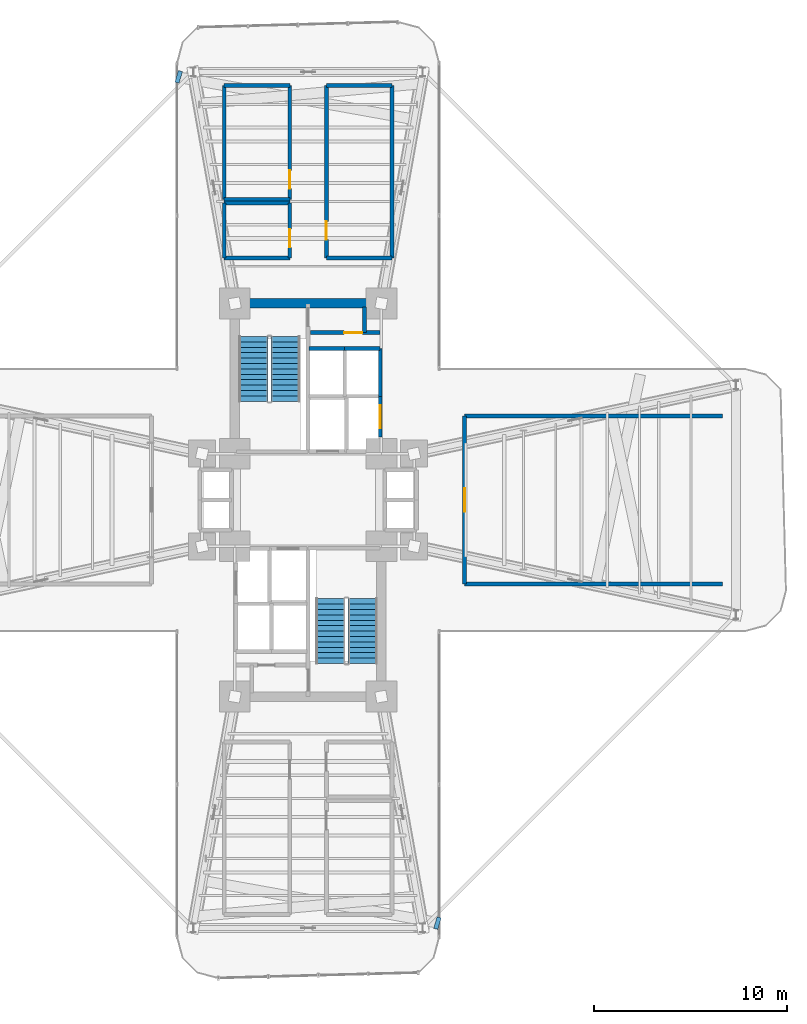
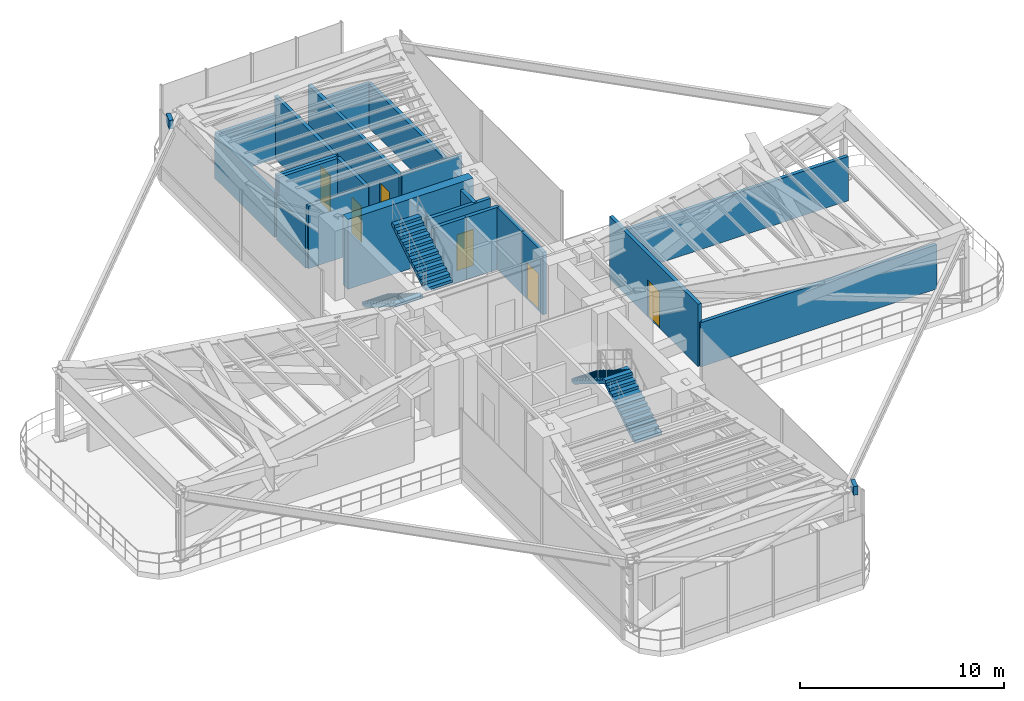
# One storey, part 15 of 18: 24 walls, 6 doors, 4 stair flights, 6 openings, 2 elements without a shape of their own.
"""IFC4 building model written with IfcOpenShell, lengths in metres."""

import ifcopenshell
import ifcopenshell.guid

model = None  # the IFC model being written
_history = None  # IfcOwnerHistory: only IFC2X3 demands one
_inside = {}  # id of a spatial element -> (the spatial element, [elements in it])
_under = {}  # id of a project, library or spatial element -> (it, [spatial elements below it])
_declared = {}  # id of a project -> (the project, [libraries it declares])
_typed = {}  # id of a type object -> (the type object, [elements of that type])
_made_of = {}  # id of a material, layer set ... -> (it, [elements and type objects made of it])


def new_model(schema):
    """Start an empty IFC model of exactly this schema.

    Asked for "IFC4X3", IfcOpenShell would pick the latest addendum, in which some entities
    have other attributes; the version numbers below select the first issue.
    IFC2X3 requires an IfcOwnerHistory on every rooted entity: one is made here for all.
    """
    global model, _history
    if schema == "IFC4X3":
        model = ifcopenshell.file(schema_version=(4, 3, 0, 0))
    else:
        model = ifcopenshell.file(schema=schema)
    _inside.clear()
    _under.clear()
    _declared.clear()
    _typed.clear()
    _made_of.clear()
    _history = None
    if model.schema == "IFC2X3":
        org = make("IfcOrganization", Name="unknown")
        user = make(
            "IfcPersonAndOrganization",
            ThePerson=make("IfcPerson", FamilyName="unknown"),
            TheOrganization=org,
        )
        app = make(
            "IfcApplication",
            ApplicationDeveloper=org,
            Version="unknown",
            ApplicationFullName="unknown",
            ApplicationIdentifier="unknown",
        )
        _history = make(
            "IfcOwnerHistory",
            OwningUser=user,
            OwningApplication=app,
            ChangeAction="ADDED",
            CreationDate=0,
        )
    return model


def make(cls, **values):
    """One entity of the class cls with the attributes given. An attribute that is None is left unset."""
    return model.create_entity(
        cls, **{name: value for name, value in values.items() if value is not None}
    )


def rooted(cls, **values):
    """An entity with a GlobalId (a new one), such as an element, a storey or a relation."""
    return make(cls, GlobalId=ifcopenshell.guid.new(), OwnerHistory=_history, **values)


def si_unit(unit_type, name, prefix=None):
    """IfcSIUnit, for example si_unit("LENGTHUNIT", "METRE", prefix="MILLI")."""
    return make("IfcSIUnit", UnitType=unit_type, Prefix=prefix, Name=name)


def assignment(units):
    """IfcUnitAssignment: the units of a project."""
    return None if units is None else make("IfcUnitAssignment", Units=units)


def point(xyz):
    """IfcCartesianPoint."""
    return None if xyz is None else make("IfcCartesianPoint", Coordinates=xyz)


def direction(xyz):
    """IfcDirection."""
    return None if xyz is None else make("IfcDirection", DirectionRatios=xyz)


def frame(location, z_axis=None, x_axis=None):
    """IfcAxis2Placement3D, a coordinate frame: its origin and axes. An axis left out is left unset."""
    return make(
        "IfcAxis2Placement3D",
        Location=point(location),
        Axis=direction(z_axis),
        RefDirection=direction(x_axis),
    )


def frame_2d(location, x_axis=None):
    """IfcAxis2Placement2D, a coordinate frame in the plane: its origin and x axis."""
    return make(
        "IfcAxis2Placement2D", Location=point(location), RefDirection=direction(x_axis)
    )


def origin():
    """The frame at (0, 0, 0) with its axes left unset."""
    return frame((0.0, 0.0, 0.0))


def origin_2d():
    """The frame at (0, 0) in the plane with its x axis left unset."""
    return frame_2d((0.0, 0.0))


def place(relative_to, where):
    """IfcLocalPlacement: puts the frame where relative to a parent placement (None: the world)."""
    return make(
        "IfcLocalPlacement", PlacementRelTo=relative_to, RelativePlacement=where
    )


def context(
    kind, dimensions, precision=None, world=None, true_north=None, identifier=None
):
    """IfcGeometricRepresentationContext, for example the 3D "Model" context."""
    return make(
        "IfcGeometricRepresentationContext",
        ContextIdentifier=identifier,
        ContextType=kind,
        CoordinateSpaceDimension=dimensions,
        Precision=precision,
        WorldCoordinateSystem=world,
        TrueNorth=true_north,
    )


def subcontext(parent, identifier, kind, view, scale=None):
    """IfcGeometricRepresentationSubContext, for example "Body" below "Model"."""
    return make(
        "IfcGeometricRepresentationSubContext",
        ContextIdentifier=identifier,
        ContextType=kind,
        ParentContext=parent,
        TargetScale=scale,
        TargetView=view,
    )


def project(units=None, contexts=None):
    """IfcProject with its units and contexts."""
    return rooted(
        "IfcProject",
        Name="project",
        RepresentationContexts=contexts,
        UnitsInContext=assignment(units),
    )


def spatial(cls, under=None, at=None, **own):
    """A site, building, storey or space (cls), placed at a placement, below another one or the project."""
    s = rooted(cls, ObjectPlacement=at, **own)
    if under is not None:
        _under.setdefault(under.id(), (under, []))[1].append(s)
    return s


def polyline(points):
    """IfcPolyline through the points."""
    return make("IfcPolyline", Points=[point(p) for p in points])


def profile(cls, at=None, kind="AREA", **sizes):
    """A parametric profile (cls). Its sizes go by their IFC names, for example OverallWidth=200.0."""
    return make(cls, ProfileType=kind, Position=at, **sizes)


def rectangle(**sizes):
    """IfcRectangleProfileDef."""
    return profile("IfcRectangleProfileDef", **sizes)


def outline(outer, holes=None, kind="AREA"):
    """IfcArbitraryClosedProfileDef: a profile drawn as a closed curve; with holes, ...WithVoids."""
    if holes is None:
        return make("IfcArbitraryClosedProfileDef", ProfileType=kind, OuterCurve=outer)
    return make(
        "IfcArbitraryProfileDefWithVoids",
        ProfileType=kind,
        OuterCurve=outer,
        InnerCurves=holes,
    )


def extrude(swept, where, along, depth):
    """IfcExtrudedAreaSolid: the profile swept, set in the frame where, extruded along a direction by depth."""
    return make(
        "IfcExtrudedAreaSolid",
        SweptArea=swept,
        Position=where,
        ExtrudedDirection=direction(along),
        Depth=depth,
    )


def shape(context_of_items, identifier, shape_type, items):
    """IfcShapeRepresentation: the items that make up one representation, for example the "Body"."""
    return make(
        "IfcShapeRepresentation",
        ContextOfItems=context_of_items,
        RepresentationIdentifier=identifier,
        RepresentationType=shape_type,
        Items=items,
    )


def source(mapping_origin, context_of_items, identifier, shape_type, items):
    """IfcRepresentationMap: a shape defined once, which mapped items show again and again."""
    return make(
        "IfcRepresentationMap",
        MappingOrigin=mapping_origin,
        MappedRepresentation=shape(context_of_items, identifier, shape_type, items),
    )


def transform(
    local_origin,
    x_axis=None,
    y_axis=None,
    z_axis=None,
    scale=None,
    scale2=None,
    scale3=None,
    uniform=True,
):
    """IfcCartesianTransformationOperator3D, or its non-uniform kind. x_axis, y_axis, z_axis: its Axis1, 2, 3."""
    if uniform:
        return make(
            "IfcCartesianTransformationOperator3D",
            Axis1=direction(x_axis),
            Axis2=direction(y_axis),
            LocalOrigin=point(local_origin),
            Scale=scale,
            Axis3=direction(z_axis),
        )
    return make(
        "IfcCartesianTransformationOperator3DnonUniform",
        Axis1=direction(x_axis),
        Axis2=direction(y_axis),
        LocalOrigin=point(local_origin),
        Scale=scale,
        Axis3=direction(z_axis),
        Scale2=scale2,
        Scale3=scale3,
    )


def mapped(mapping_source, mapping_target):
    """IfcMappedItem: shows the shape of a source again, moved by a transform."""
    return make(
        "IfcMappedItem", MappingSource=mapping_source, MappingTarget=mapping_target
    )


def material(Name=None, Category=None):
    """IfcMaterial."""
    return make("IfcMaterial", Name=Name, Category=Category)


def layer(
    of_material, thickness, ventilated=None, Name=None, Category=None, Priority=None
):
    """IfcMaterialLayer: one layer of a wall or slab, of a material (None: an air gap)."""
    return make(
        "IfcMaterialLayer",
        Material=of_material,
        LayerThickness=thickness,
        IsVentilated=ventilated,
        Name=Name,
        Category=Category,
        Priority=Priority,
    )


def layer_set(layers, Name=None):
    """IfcMaterialLayerSet."""
    return make("IfcMaterialLayerSet", MaterialLayers=layers, LayerSetName=Name)


def made_of(thing, what):
    """Note that an element or type object is made of a material, layer set ...; save() writes the relation."""
    if what is not None:
        _made_of.setdefault(what.id(), (what, []))[1].append(thing)
    return thing


def type_object(cls, material=None, **own):
    """A type object (cls), such as IfcWallType, which elements share."""
    return made_of(rooted(cls, **own), material)


def element(
    cls,
    number,
    at=None,
    inside=None,
    cuts=None,
    type_object=None,
    material=None,
    context=None,
    identifier="Body",
    shape_type=None,
    held_by="IfcProductDefinitionShape",
    body=None,
    shapes=None,
    **own,
):
    """One element of the class cls, such as IfcWall. Its Tag is "e" and its number.

    at: its placement. inside: the storey or other place that contains it. cuts: it is an
    opening in that element (IfcRelVoidsElement). A single representation is given by context,
    identifier, shape_type and body (its items); several are given by shapes. held_by: the class
    of the entity that holds the representations. save() writes the other relations.
    """
    e = rooted(cls, Tag="e%d" % number, ObjectPlacement=at, **own)
    if body is not None:
        shapes = [shape(context, identifier, shape_type, body)]
    if shapes is not None:
        e.Representation = make(held_by, Representations=shapes)
    if inside is not None:
        _inside.setdefault(inside.id(), (inside, []))[1].append(e)
    if cuts is not None:
        rooted(
            "IfcRelVoidsElement", RelatingBuildingElement=cuts, RelatedOpeningElement=e
        )
    if type_object is not None:
        _typed.setdefault(type_object.id(), (type_object, []))[1].append(e)
    return made_of(e, material)


def fill(opening, filler):
    """IfcRelFillsElement: the door or window that sits in an opening."""
    return rooted(
        "IfcRelFillsElement",
        RelatingOpeningElement=opening,
        RelatedBuildingElement=filler,
    )


def aggregate(whole, parts):
    """IfcRelAggregates: a whole, such as a stair, and the parts it consists of."""
    return rooted("IfcRelAggregates", RelatingObject=whole, RelatedObjects=parts)


def save(model, path):
    """Write the relations noted so far, then the file.

    IfcRelAggregates (storeys below a building ...), IfcRelContainedInSpatialStructure (elements
    in a storey), IfcRelDefinesByType, IfcRelAssociatesMaterial and IfcRelDeclares: one each for
    every whole, place, type object, material and project.
    """
    for whole, parts in _under.values():
        aggregate(whole, parts)
    for where, things in _inside.values():
        rooted(
            "IfcRelContainedInSpatialStructure",
            RelatedElements=things,
            RelatingStructure=where,
        )
    for kind, things in _typed.values():
        rooted("IfcRelDefinesByType", RelatedObjects=things, RelatingType=kind)
    for what, things in _made_of.values():
        rooted("IfcRelAssociatesMaterial", RelatedObjects=things, RelatingMaterial=what)
    for by, libraries in _declared.values():
        rooted("IfcRelDeclares", RelatingContext=by, RelatedDefinitions=libraries)
    model.write(path)


model = new_model("IFC4")

# Units and contexts
model_context = context("Model", 3, precision=1e-05, world=origin(), true_north=direction((0.0, 1.0)))
body_context = subcontext(model_context, "Body", "Model", "MODEL_VIEW")
ifc_project = project(units=[si_unit("LENGTHUNIT", "METRE"), si_unit("AREAUNIT", "SQUARE_METRE"), si_unit("VOLUMEUNIT", "CUBIC_METRE"), si_unit("PLANEANGLEUNIT", "RADIAN"), si_unit("MASSUNIT", "GRAM", prefix="KILO")], contexts=[model_context])

# Site, building, storey
site_placement = place(None, origin())
site = spatial("IfcSite", under=ifc_project, at=site_placement, CompositionType="ELEMENT")
building_placement = place(site_placement, origin())
building = spatial("IfcBuilding", under=site, at=building_placement, Name="Sahyath Konkavel Grand Hotel", CompositionType="ELEMENT")
storey_placement = place(building_placement, frame((0.0, 0.0, 74.5)))
storey = spatial("IfcBuildingStorey", under=building, at=storey_placement, Name="L20", CompositionType="ELEMENT", Elevation=74.5)

# Walls
ifc_material_1 = material(Name="Concrete C70/85", Category="concrete")
ifc_layer_1 = layer(ifc_material_1, 0.5)
ifc_layer_set_1 = layer_set([ifc_layer_1], Name="Concrete C70/85")
wall_type_1 = type_object("IfcWallType", Name="CWALL-500", PredefinedType="SHEAR", material=ifc_layer_set_1)
wall_1_placement = place(storey_placement, frame((-3.550048828125, 10.199951171875, 0.0), z_axis=(0.0, 0.0, 1.0), x_axis=(1.0, 0.0, 0.0)))
element("IfcWall", 1, at=wall_1_placement, inside=storey, type_object=wall_type_1, Name="L20 North Core Shear Wall N", PredefinedType="SHEAR", context=body_context, shape_type="SweptSolid", body=[
    extrude(rectangle(XDim=7.10009765625, YDim=0.5, at=frame_2d((3.550048828125, 0.0))), origin(), (0.0, 0.0, 1.0), 4.179931640625),
])
ifc_material_2 = material(Name="Warm Buff Sandstone Insulated Concrete C40/50", Category="masonry")
ifc_layer_2 = layer(ifc_material_2, 0.219970703125)
ifc_layer_set_2 = layer_set([ifc_layer_2], Name="Warm Buff Sandstone Insulated Concrete C40/50")
wall_type_2 = type_object("IfcWallType", Name="WLL-BALC-THRESH", PredefinedType="STANDARD", material=ifc_layer_set_2)
for number, where, z_axis, x_axis, name in (
    (2, (-6.800048828125, 21.64990234375, 3.64990234375), (0.0, 0.0, 1.0), (0.287204875193, 0.957869176696, 0.0), "L20 Setback Spandrel Closure Pier NB"),
    (3, (6.6201171875, -22.25, 3.64990234375), (0.0, 0.0, 1.0), (0.287204875193, 0.957869176696, 0.0), "L20 Setback Spandrel Closure Pier SB"),
):
    element("IfcWall", number, at=place(storey_placement, frame(where, z_axis=z_axis, x_axis=x_axis)), inside=storey, type_object=wall_type_2, Name=name, PredefinedType="STANDARD", context=body_context, shape_type="SweptSolid", body=[
        extrude(rectangle(XDim=0.62646484375, YDim=0.219970703125, at=frame_2d((0.313232421875, 0.0))), origin(), (0.0, 0.0, 1.0), 0.530029296875),
    ])

# Wall, opening, door
ifc_material_3 = material(Name="Concrete C40/50", Category="concrete")
ifc_layer_3 = layer(ifc_material_3, 0.199951171875)
ifc_layer_set_3 = layer_set([ifc_layer_3], Name="Concrete C40/50")
wall_type_3 = type_object("IfcWallType", Name="WLL-CORE-200", PredefinedType="SOLIDWALL", material=ifc_layer_set_3)
wall_2_placement = place(storey_placement, frame((3.739990234375, 3.280029296875, 0.0), z_axis=(0.0, 0.0, 1.0), x_axis=(0.0, 1.0, 0.0)))
wall_2 = element("IfcWall", 4, at=wall_2_placement, inside=storey, type_object=wall_type_3, Name="L20 Partition SH-SVL1-E", PredefinedType="SOLIDWALL", context=body_context, shape_type="SweptSolid", body=[
    extrude(rectangle(XDim=2.080078125, YDim=0.199951171875, at=frame_2d((1.0400390625, 0.0))), origin(), (0.0, 0.0, 1.0), 3.72998046875),
])
opening_1_placement = place(wall_2_placement, frame((0.43994140625, 0.0, 0.0)))
opening_1 = element("IfcOpeningElement", 5, at=opening_1_placement, cuts=wall_2, Name="Opening LD-12", PredefinedType="OPENING", context=body_context, shape_type="SweptSolid", body=[
    extrude(rectangle(XDim=1.199951171875, YDim=2.199951171875, at=frame_2d((0.60009765625, 1.10009765625))), frame((0.0, 0.10986328125, 0.0), z_axis=(0.0, -1.0, 0.0), x_axis=(1.0, 0.0, 0.0)), (0.0, 0.0, 1.0), 0.219970703125),
])
ifc_material_4 = material(Name="Stainless Steel Lift Landing Door 1200", Category="steel")
door_type_1 = type_object("IfcDoorType", Name="DR-LIFT-1200", OperationType="DOUBLE_DOOR_SLIDING", PredefinedType="DOOR", material=ifc_material_4)
shared_shape_1 = source(origin(), body_context, "Body", "SweptSolid", [
    extrude(rectangle(XDim=1.199951171875, YDim=0.050048828125, at=origin_2d()), origin(), (0.0, 0.0, 1.0), 2.199951171875),
])
door_1_placement = place(opening_1_placement, frame((0.60009765625, 0.0, 0.0)))
door_1 = element("IfcDoor", 6, at=door_1_placement, inside=storey, type_object=door_type_1, Name="L20 Service Lift SVL-1 Landing Door", OperationType="DOUBLE_DOOR_SLIDING", OverallHeight=2.199951171875, OverallWidth=1.199951171875, PredefinedType="DOOR", context=body_context, shape_type="MappedRepresentation", body=[
    mapped(shared_shape_1, transform((0.0, 0.0, 0.0), scale=1.0)),
])
fill(opening_1, door_1)

# Walls
wall_3_placement = place(storey_placement, frame((0.050048828125, 7.860107421875, 0.0), z_axis=(0.0, 0.0, 1.0), x_axis=(1.0, 0.0, 0.0)))
element("IfcWall", 7, at=wall_3_placement, inside=storey, type_object=wall_type_3, Name="L20 Partition SH-PL1-N", PredefinedType="SOLIDWALL", context=body_context, shape_type="SweptSolid", body=[
    extrude(rectangle(XDim=1.849853515625, YDim=0.199951171875, at=frame_2d((0.9248046875, 0.0))), origin(), (0.0, 0.0, 1.0), 3.72998046875),
])
wall_4_placement = place(storey_placement, frame((3.739990234375, 5.3798828125, 0.0), z_axis=(0.0, 0.0, 1.0), x_axis=(0.0, 1.0, 0.0)))
element("IfcWall", 8, at=wall_4_placement, inside=storey, type_object=wall_type_3, Name="L20 Partition SH-PL2-E", PredefinedType="SOLIDWALL", context=body_context, shape_type="SweptSolid", body=[
    extrude(rectangle(XDim=2.480224609375, YDim=0.199951171875, at=frame_2d((1.240234375, 0.0))), origin(), (0.0, 0.0, 1.0), 3.72998046875),
])
wall_5_placement = place(storey_placement, frame((1.89990234375, 7.860107421875, 0.0), z_axis=(0.0, 0.0, 1.0), x_axis=(1.0, 0.0, 0.0)))
element("IfcWall", 9, at=wall_5_placement, inside=storey, type_object=wall_type_3, Name="L20 Partition SH-PL2-N", PredefinedType="SOLIDWALL", context=body_context, shape_type="SweptSolid", body=[
    extrude(rectangle(XDim=1.840087890625, YDim=0.199951171875, at=frame_2d((0.919921875, 0.0))), origin(), (0.0, 0.0, 1.0), 3.72998046875),
])

# Wall, opening, door
wall_6_placement = place(storey_placement, frame((0.1201171875, 8.679931640625, 0.0), z_axis=(0.0, 0.0, 1.0), x_axis=(1.0, 0.0, 0.0)))
wall_6 = element("IfcWall", 10, at=wall_6_placement, inside=storey, type_object=wall_type_3, Name="L20 North FF Lobby Separation Wall", PredefinedType="SOLIDWALL", context=body_context, shape_type="SweptSolid", body=[
    extrude(rectangle(XDim=3.619873046875, YDim=0.199951171875, at=frame_2d((1.81005859375, 0.0))), origin(), (0.0, 0.0, 1.0), 3.72998046875),
])
opening_2_placement = place(wall_6_placement, frame((1.75, 0.0, 0.0)))
opening_2 = element("IfcOpeningElement", 11, at=opening_2_placement, cuts=wall_6, Name="Opening D-F12C", PredefinedType="OPENING", context=body_context, shape_type="SweptSolid", body=[
    extrude(rectangle(XDim=0.949951171875, YDim=2.14990234375, at=frame_2d((0.47509765625, 1.074951171875))), frame((0.0, 0.10986328125, 0.0), z_axis=(0.0, -1.0, 0.0), x_axis=(1.0, 0.0, 0.0)), (0.0, 0.0, 1.0), 0.219970703125),
])
ifc_material_5 = material(Name="Steel E350 Plant Fire Door", Category="steel")
door_type_2 = type_object("IfcDoorType", Name="DR-FD120-950", OperationType="NOTDEFINED", PredefinedType="DOOR", material=ifc_material_5)
shared_shape_2 = source(origin(), body_context, "Body", "SweptSolid", [
    extrude(rectangle(XDim=0.949951171875, YDim=0.050048828125, at=origin_2d()), origin(), (0.0, 0.0, 1.0), 2.14990234375),
])
door_2_placement = place(opening_2_placement, frame((0.47509765625, 0.0, 0.0)))
door_2 = element("IfcDoor", 12, at=door_2_placement, inside=storey, type_object=door_type_2, Name="L20 North Firefighting Lobby Door", OperationType="SINGLE_SWING_LEFT", OverallHeight=2.14990234375, OverallWidth=0.949951171875, PredefinedType="DOOR", context=body_context, shape_type="MappedRepresentation", body=[
    mapped(shared_shape_2, transform((0.0, 0.0, 0.0), scale=1.0)),
])
fill(opening_2, door_2)

# Wall
wall_7_placement = place(storey_placement, frame((2.919921875, 8.679931640625, 0.0), z_axis=(0.0, 0.0, 1.0), x_axis=(0.0, 1.0, 0.0)))
element("IfcWall", 13, at=wall_7_placement, inside=storey, type_object=wall_type_3, Name="L20 Partition NFF-E2", PredefinedType="SOLIDWALL", context=body_context, shape_type="SweptSolid", body=[
    extrude(rectangle(XDim=1.320068359375, YDim=0.199951171875, at=frame_2d((0.66015625, 0.0))), origin(), (0.0, 0.0, 1.0), 3.72998046875),
])

# Wall, opening, door
wall_8_placement = place(storey_placement, frame((8.1201171875, -4.35009765625, 0.0), z_axis=(0.0, 0.0, 1.0), x_axis=(0.0, 1.0, 0.0)))
wall_8 = element("IfcWall", 14, at=wall_8_placement, inside=storey, type_object=wall_type_3, Name="L20 Partition REF-E-IN", PredefinedType="SOLIDWALL", context=body_context, shape_type="SweptSolid", body=[
    extrude(rectangle(XDim=8.7001953125, YDim=0.199951171875, at=frame_2d((4.35009765625, 0.0))), origin(), (0.0, 0.0, 1.0), 3.72998046875),
])
opening_3_placement = place(wall_8_placement, frame((3.75, 0.0, 0.0)))
opening_3 = element("IfcOpeningElement", 15, at=opening_3_placement, cuts=wall_8, Name="Opening D-F12A", PredefinedType="OPENING", context=body_context, shape_type="SweptSolid", body=[
    extrude(rectangle(XDim=1.199951171875, YDim=2.199951171875, at=frame_2d((0.60009765625, 1.10009765625))), frame((0.0, 0.10986328125, 0.0), z_axis=(0.0, -1.0, 0.0), x_axis=(1.0, 0.0, 0.0)), (0.0, 0.0, 1.0), 0.219970703125),
])
ifc_material_6 = material(Name="Steel E350 Fire Door", Category="steel")
door_type_3 = type_object("IfcDoorType", Name="DR-FD120-1200", OperationType="NOTDEFINED", PredefinedType="DOOR", material=ifc_material_6)
door_3_placement = place(opening_3_placement, frame((0.60009765625, 0.0, 0.0)))
door_3 = element("IfcDoor", 16, at=door_3_placement, inside=storey, type_object=door_type_3, Name="L20 Door REF-E-D", OperationType="SINGLE_SWING_RIGHT", OverallHeight=2.199951171875, OverallWidth=1.199951171875, PredefinedType="DOOR", context=body_context, shape_type="MappedRepresentation", body=[
    mapped(shared_shape_1, transform((0.0, 0.0, 0.0), scale=1.0)),
])
fill(opening_3, door_3)

# Walls
for number, where, z_axis, x_axis, name in (
    (17, (8.1201171875, 4.35009765625, 0.0), (0.0, 0.0, 1.0), (1.0, 0.0, 0.0), "L20 Partition REF-E-N"),
    (18, (8.1201171875, -4.35009765625, 0.0), (0.0, 0.0, 1.0), (1.0, 0.0, 0.0), "L20 Partition REF-E-S"),
):
    element("IfcWall", number, at=place(storey_placement, frame(where, z_axis=z_axis, x_axis=x_axis)), inside=storey, type_object=wall_type_3, Name=name, PredefinedType="SOLIDWALL", context=body_context, shape_type="SweptSolid", body=[
        extrude(rectangle(XDim=13.3798828125, YDim=0.199951171875, at=frame_2d((6.68994140625, 0.0))), origin(), (0.0, 0.0, 1.0), 2.64990234375),
    ])

# Wall, opening, door
wall_9_placement = place(storey_placement, frame((-0.949951171875, 12.550048828125, 0.0), z_axis=(0.0, 0.0, 1.0), x_axis=(0.0, 1.0, 0.0)))
wall_9 = element("IfcWall", 19, at=wall_9_placement, inside=storey, type_object=wall_type_3, Name="L20 Partition PL-AHU-C", PredefinedType="SOLIDWALL", context=body_context, shape_type="SweptSolid", body=[
    extrude(rectangle(XDim=2.849853515625, YDim=0.199951171875, at=frame_2d((1.4248046875, 0.0))), origin(), (0.0, 0.0, 1.0), 3.72998046875),
])
opening_4_placement = place(wall_9_placement, frame((0.550048828125, 0.0, 0.0)))
opening_4 = element("IfcOpeningElement", 20, at=opening_4_placement, cuts=wall_9, Name="Opening D-F12C", PredefinedType="OPENING", context=body_context, shape_type="SweptSolid", body=[
    extrude(rectangle(XDim=0.949951171875, YDim=2.14990234375, at=frame_2d((0.47509765625, 1.074951171875))), frame((0.0, 0.10986328125, 0.0), z_axis=(0.0, -1.0, 0.0), x_axis=(1.0, 0.0, 0.0)), (0.0, 0.0, 1.0), 0.219970703125),
])
door_4_placement = place(opening_4_placement, frame((0.47509765625, 0.0, 0.0)))
door_4 = element("IfcDoor", 21, at=door_4_placement, inside=storey, type_object=door_type_2, Name="L20 Door PL-AHU-D", OperationType="SINGLE_SWING_RIGHT", OverallHeight=2.14990234375, OverallWidth=0.949951171875, PredefinedType="DOOR", context=body_context, shape_type="MappedRepresentation", body=[
    mapped(shared_shape_2, transform((0.0, 0.0, 0.0), scale=1.0)),
])
fill(opening_4, door_4)

# Walls
wall_10_placement = place(storey_placement, frame((-4.35009765625, 12.550048828125, 0.0), z_axis=(0.0, 0.0, 1.0), x_axis=(0.0, 1.0, 0.0)))
element("IfcWall", 22, at=wall_10_placement, inside=storey, type_object=wall_type_3, Name="L20 Partition PL-AHU-O", PredefinedType="SOLIDWALL", context=body_context, shape_type="SweptSolid", body=[
    extrude(rectangle(XDim=2.849853515625, YDim=0.199951171875, at=frame_2d((1.4248046875, 0.0))), origin(), (0.0, 0.0, 1.0), 2.64990234375),
])
for number, where, z_axis, x_axis, name in (
    (23, (-0.949951171875, 12.550048828125, 0.0), (0.0, 0.0, 1.0), (-1.0, 0.0, 0.0), "L20 Partition PL-AHU-A"),
    (24, (-0.949951171875, 15.39990234375, 0.0), (0.0, 0.0, 1.0), (-1.0, 0.0, 0.0), "L20 Partition PL-AHU-B"),
):
    element("IfcWall", number, at=place(storey_placement, frame(where, z_axis=z_axis, x_axis=x_axis)), inside=storey, type_object=wall_type_3, Name=name, PredefinedType="SOLIDWALL", context=body_context, shape_type="SweptSolid", body=[
        extrude(rectangle(XDim=3.400146484375, YDim=0.199951171875, at=frame_2d((1.7001953125, 0.0))), origin(), (0.0, 0.0, 1.0), 3.72998046875),
    ])

# Wall, opening, door
wall_11_placement = place(storey_placement, frame((-0.949951171875, 15.60009765625, 0.0), z_axis=(0.0, 0.0, 1.0), x_axis=(0.0, 1.0, 0.0)))
wall_11 = element("IfcWall", 25, at=wall_11_placement, inside=storey, type_object=wall_type_3, Name="L20 Partition PL-TNK-C", PredefinedType="SOLIDWALL", context=body_context, shape_type="SweptSolid", body=[
    extrude(rectangle(XDim=5.89990234375, YDim=0.199951171875, at=frame_2d((2.949951171875, 0.0))), origin(), (0.0, 0.0, 1.0), 3.72998046875),
])
opening_5_placement = place(wall_11_placement, frame((0.550048828125, 0.0, 0.0)))
opening_5 = element("IfcOpeningElement", 26, at=opening_5_placement, cuts=wall_11, Name="Opening D-F12C", PredefinedType="OPENING", context=body_context, shape_type="SweptSolid", body=[
    extrude(rectangle(XDim=0.949951171875, YDim=2.14990234375, at=frame_2d((0.47509765625, 1.074951171875))), frame((0.0, 0.10986328125, 0.0), z_axis=(0.0, -1.0, 0.0), x_axis=(1.0, 0.0, 0.0)), (0.0, 0.0, 1.0), 0.219970703125),
])
door_5_placement = place(opening_5_placement, frame((0.47509765625, 0.0, 0.0)))
door_5 = element("IfcDoor", 27, at=door_5_placement, inside=storey, type_object=door_type_2, Name="L20 Door PL-TNK-D", OperationType="SINGLE_SWING_LEFT", OverallHeight=2.14990234375, OverallWidth=0.949951171875, PredefinedType="DOOR", context=body_context, shape_type="MappedRepresentation", body=[
    mapped(shared_shape_2, transform((0.0, 0.0, 0.0), scale=1.0)),
])
fill(opening_5, door_5)

# Walls
wall_12_placement = place(storey_placement, frame((-4.35009765625, 15.60009765625, 0.0), z_axis=(0.0, 0.0, 1.0), x_axis=(0.0, 1.0, 0.0)))
element("IfcWall", 28, at=wall_12_placement, inside=storey, type_object=wall_type_3, Name="L20 Partition PL-TNK-O", PredefinedType="SOLIDWALL", context=body_context, shape_type="SweptSolid", body=[
    extrude(rectangle(XDim=5.89990234375, YDim=0.199951171875, at=frame_2d((2.949951171875, 0.0))), origin(), (0.0, 0.0, 1.0), 2.64990234375),
])
wall_13_placement = place(storey_placement, frame((-0.949951171875, 15.60009765625, 0.0), z_axis=(0.0, 0.0, 1.0), x_axis=(-1.0, 0.0, 0.0)))
element("IfcWall", 29, at=wall_13_placement, inside=storey, type_object=wall_type_3, Name="L20 Partition PL-TNK-A", PredefinedType="SOLIDWALL", context=body_context, shape_type="SweptSolid", body=[
    extrude(rectangle(XDim=3.400146484375, YDim=0.199951171875, at=frame_2d((1.7001953125, 0.0))), origin(), (0.0, 0.0, 1.0), 3.72998046875),
])
wall_14_placement = place(storey_placement, frame((-0.949951171875, 21.5, 0.0), z_axis=(0.0, 0.0, 1.0), x_axis=(-1.0, 0.0, 0.0)))
element("IfcWall", 30, at=wall_14_placement, inside=storey, type_object=wall_type_3, Name="L20 Partition PL-TNK-B", PredefinedType="SOLIDWALL", context=body_context, shape_type="SweptSolid", body=[
    extrude(rectangle(XDim=3.400146484375, YDim=0.199951171875, at=frame_2d((1.7001953125, 0.0))), origin(), (0.0, 0.0, 1.0), 2.64990234375),
])

# Wall, opening, door
wall_15_placement = place(storey_placement, frame((0.949951171875, 12.550048828125, 0.0), z_axis=(0.0, 0.0, 1.0), x_axis=(0.0, 1.0, 0.0)))
wall_15 = element("IfcWall", 31, at=wall_15_placement, inside=storey, type_object=wall_type_3, Name="L20 Partition PL-PRS-C", PredefinedType="SOLIDWALL", context=body_context, shape_type="SweptSolid", body=[
    extrude(rectangle(XDim=8.949951171875, YDim=0.199951171875, at=frame_2d((4.47509765625, 0.0))), origin(), (0.0, 0.0, 1.0), 3.72998046875),
])
opening_6_placement = place(wall_15_placement, frame((0.949951171875, 0.0, 0.0)))
opening_6 = element("IfcOpeningElement", 32, at=opening_6_placement, cuts=wall_15, Name="Opening D-F12C", PredefinedType="OPENING", context=body_context, shape_type="SweptSolid", body=[
    extrude(rectangle(XDim=0.949951171875, YDim=2.14990234375, at=frame_2d((0.47509765625, 1.074951171875))), frame((0.0, 0.10986328125, 0.0), z_axis=(0.0, -1.0, 0.0), x_axis=(1.0, 0.0, 0.0)), (0.0, 0.0, 1.0), 0.219970703125),
])
door_6_placement = place(opening_6_placement, frame((0.47509765625, 0.0, 0.0)))
door_6 = element("IfcDoor", 33, at=door_6_placement, inside=storey, type_object=door_type_2, Name="L20 Door PL-PRS-D", OperationType="SINGLE_SWING_RIGHT", OverallHeight=2.14990234375, OverallWidth=0.949951171875, PredefinedType="DOOR", context=body_context, shape_type="MappedRepresentation", body=[
    mapped(shared_shape_2, transform((0.0, 0.0, 0.0), scale=1.0)),
])
fill(opening_6, door_6)

# Walls
wall_16_placement = place(storey_placement, frame((4.35009765625, 12.550048828125, 0.0), z_axis=(0.0, 0.0, 1.0), x_axis=(0.0, 1.0, 0.0)))
element("IfcWall", 34, at=wall_16_placement, inside=storey, type_object=wall_type_3, Name="L20 Partition PL-PRS-O", PredefinedType="SOLIDWALL", context=body_context, shape_type="SweptSolid", body=[
    extrude(rectangle(XDim=8.949951171875, YDim=0.199951171875, at=frame_2d((4.47509765625, 0.0))), origin(), (0.0, 0.0, 1.0), 2.64990234375),
])
wall_17_placement = place(storey_placement, frame((4.35009765625, 12.550048828125, 0.0), z_axis=(0.0, 0.0, 1.0), x_axis=(-1.0, 0.0, 0.0)))
element("IfcWall", 35, at=wall_17_placement, inside=storey, type_object=wall_type_3, Name="L20 Partition PL-PRS-A", PredefinedType="SOLIDWALL", context=body_context, shape_type="SweptSolid", body=[
    extrude(rectangle(XDim=3.400146484375, YDim=0.199951171875, at=frame_2d((1.7001953125, 0.0))), origin(), (0.0, 0.0, 1.0), 3.72998046875),
])
wall_18_placement = place(storey_placement, frame((4.35009765625, 21.5, 0.0), z_axis=(0.0, 0.0, 1.0), x_axis=(-1.0, 0.0, 0.0)))
element("IfcWall", 36, at=wall_18_placement, inside=storey, type_object=wall_type_3, Name="L20 Partition PL-PRS-B", PredefinedType="SOLIDWALL", context=body_context, shape_type="SweptSolid", body=[
    extrude(rectangle(XDim=3.400146484375, YDim=0.199951171875, at=frame_2d((1.7001953125, 0.0))), origin(), (0.0, 0.0, 1.0), 2.64990234375),
])

# Stair, stair flights
stair_type = type_object("IfcStairType", Name="STR-ST16-450", PredefinedType="HALF_TURN_STAIR", material=ifc_material_3)
stair_1_placement = place(storey_placement, origin())
stair_1 = element("IfcStair", 37, at=stair_1_placement, inside=storey, type_object=stair_type, Name="L20 North Core Smokeproof Exit Stair ST-1", PredefinedType="HALF_TURN_STAIR")
stair_flight_type = type_object("IfcStairFlightType", Name="STF-ST16-450", PredefinedType="STRAIGHT", material=ifc_material_3)
stair_flight_1_placement = place(storey_placement, frame((-2.840087890625, 8.47998046875, 0.0), z_axis=(0.0, 0.0, 1.0), x_axis=(0.0, -1.0, 0.0)))
stair_flight_1 = element("IfcStairFlight", 38, at=stair_flight_1_placement, type_object=stair_flight_type, Name="ST-1 flight 1", NumberOfRisers=13, NumberOfTreads=12, PredefinedType="STRAIGHT", RiserHeight=0.173076923, TreadLength=0.28, context=body_context, shape_type="SweptSolid", body=[
    extrude(outline(polyline([(0.0, 0.0), (0.0, 0.173095703125), (0.280029296875, 0.173095703125), (0.280029296875, 0.34619140625), (0.56005859375, 0.34619140625), (0.56005859375, 0.519287109375), (0.840087890625, 0.519287109375), (0.840087890625, 0.6923828125), (1.1201171875, 0.6923828125), (1.1201171875, 0.865478515625), (1.39990234375, 0.865478515625), (1.39990234375, 1.03857421875), (1.679931640625, 1.03857421875), (1.679931640625, 1.21142578125), (1.9599609375, 1.21142578125), (1.9599609375, 1.384521484375), (2.239990234375, 1.384521484375), (2.239990234375, 1.5576171875), (2.52001953125, 1.5576171875), (2.52001953125, 1.730712890625), (2.800048828125, 1.730712890625), (2.800048828125, 1.90380859375), (3.080078125, 1.90380859375), (3.080078125, 2.076904296875), (3.360107421875, 2.076904296875), (3.360107421875, 2.25), (3.360107421875, 1.900634765625), (0.28515625, 0.0), (0.0, 0.0)])), frame((0.0, 0.760009765625, 0.0), z_axis=(0.0, -1.0, 0.0), x_axis=(1.0, 0.0, 0.0)), (0.0, 0.0, 1.0), 1.52001953125),
])
stair_flight_2_placement = place(storey_placement, frame((-1.159912109375, 5.1201171875, 2.25), z_axis=(0.0, 0.0, 1.0), x_axis=(0.0, 1.0, 0.0)))
stair_flight_2 = element("IfcStairFlight", 39, at=stair_flight_2_placement, type_object=stair_flight_type, Name="ST-1 flight 2", NumberOfRisers=13, NumberOfTreads=12, PredefinedType="STRAIGHT", RiserHeight=0.173076923, TreadLength=0.28, context=body_context, shape_type="SweptSolid", body=[
    extrude(outline(polyline([(0.0, 0.0), (0.0, 0.173095703125), (0.280029296875, 0.173095703125), (0.280029296875, 0.34619140625), (0.56005859375, 0.34619140625), (0.56005859375, 0.519287109375), (0.840087890625, 0.519287109375), (0.840087890625, 0.6923828125), (1.1201171875, 0.6923828125), (1.1201171875, 0.865478515625), (1.39990234375, 0.865478515625), (1.39990234375, 1.03857421875), (1.679931640625, 1.03857421875), (1.679931640625, 1.21142578125), (1.9599609375, 1.21142578125), (1.9599609375, 1.384521484375), (2.239990234375, 1.384521484375), (2.239990234375, 1.5576171875), (2.52001953125, 1.5576171875), (2.52001953125, 1.730712890625), (2.800048828125, 1.730712890625), (2.800048828125, 1.90380859375), (3.080078125, 1.90380859375), (3.080078125, 2.076904296875), (3.360107421875, 2.076904296875), (3.360107421875, 2.25), (3.360107421875, 1.900634765625), (0.28515625, 0.0), (0.0, 0.0)])), frame((0.0, 0.760009765625, 0.0), z_axis=(0.0, -1.0, 0.0), x_axis=(1.0, 0.0, 0.0)), (0.0, 0.0, 1.0), 1.52001953125),
])
aggregate(stair_1, [stair_flight_1, stair_flight_2])

stair_2_placement = place(storey_placement, origin())
stair_2 = element("IfcStair", 40, at=stair_2_placement, inside=storey, type_object=stair_type, Name="L20 South Core Smokeproof Exit Stair ST-2", PredefinedType="HALF_TURN_STAIR")
stair_flight_3_placement = place(storey_placement, frame((2.840087890625, -8.47998046875, 0.0), z_axis=(0.0, 0.0, 1.0), x_axis=(0.0, 1.0, 0.0)))
stair_flight_3 = element("IfcStairFlight", 41, at=stair_flight_3_placement, type_object=stair_flight_type, Name="ST-2 flight 1", NumberOfRisers=13, NumberOfTreads=12, PredefinedType="STRAIGHT", RiserHeight=0.173076923, TreadLength=0.28, context=body_context, shape_type="SweptSolid", body=[
    extrude(outline(polyline([(0.0, 0.0), (0.0, 0.173095703125), (0.280029296875, 0.173095703125), (0.280029296875, 0.34619140625), (0.56005859375, 0.34619140625), (0.56005859375, 0.519287109375), (0.840087890625, 0.519287109375), (0.840087890625, 0.6923828125), (1.1201171875, 0.6923828125), (1.1201171875, 0.865478515625), (1.39990234375, 0.865478515625), (1.39990234375, 1.03857421875), (1.679931640625, 1.03857421875), (1.679931640625, 1.21142578125), (1.9599609375, 1.21142578125), (1.9599609375, 1.384521484375), (2.239990234375, 1.384521484375), (2.239990234375, 1.5576171875), (2.52001953125, 1.5576171875), (2.52001953125, 1.730712890625), (2.800048828125, 1.730712890625), (2.800048828125, 1.90380859375), (3.080078125, 1.90380859375), (3.080078125, 2.076904296875), (3.360107421875, 2.076904296875), (3.360107421875, 2.25), (3.360107421875, 1.900634765625), (0.28515625, 0.0), (0.0, 0.0)])), frame((0.0, 0.760009765625, 0.0), z_axis=(0.0, -1.0, 0.0), x_axis=(1.0, 0.0, 0.0)), (0.0, 0.0, 1.0), 1.52001953125),
])
stair_flight_4_placement = place(storey_placement, frame((1.159912109375, -5.1201171875, 2.25), z_axis=(0.0, 0.0, 1.0), x_axis=(0.0, -1.0, 0.0)))
stair_flight_4 = element("IfcStairFlight", 42, at=stair_flight_4_placement, type_object=stair_flight_type, Name="ST-2 flight 2", NumberOfRisers=13, NumberOfTreads=12, PredefinedType="STRAIGHT", RiserHeight=0.173076923, TreadLength=0.28, context=body_context, shape_type="SweptSolid", body=[
    extrude(outline(polyline([(0.0, 0.0), (0.0, 0.173095703125), (0.280029296875, 0.173095703125), (0.280029296875, 0.34619140625), (0.56005859375, 0.34619140625), (0.56005859375, 0.519287109375), (0.840087890625, 0.519287109375), (0.840087890625, 0.6923828125), (1.1201171875, 0.6923828125), (1.1201171875, 0.865478515625), (1.39990234375, 0.865478515625), (1.39990234375, 1.03857421875), (1.679931640625, 1.03857421875), (1.679931640625, 1.21142578125), (1.9599609375, 1.21142578125), (1.9599609375, 1.384521484375), (2.239990234375, 1.384521484375), (2.239990234375, 1.5576171875), (2.52001953125, 1.5576171875), (2.52001953125, 1.730712890625), (2.800048828125, 1.730712890625), (2.800048828125, 1.90380859375), (3.080078125, 1.90380859375), (3.080078125, 2.076904296875), (3.360107421875, 2.076904296875), (3.360107421875, 2.25), (3.360107421875, 1.900634765625), (0.28515625, 0.0), (0.0, 0.0)])), frame((0.0, 0.760009765625, 0.0), z_axis=(0.0, -1.0, 0.0), x_axis=(1.0, 0.0, 0.0)), (0.0, 0.0, 1.0), 1.52001953125),
])
aggregate(stair_2, [stair_flight_3, stair_flight_4])

save(model, "model.ifc")
